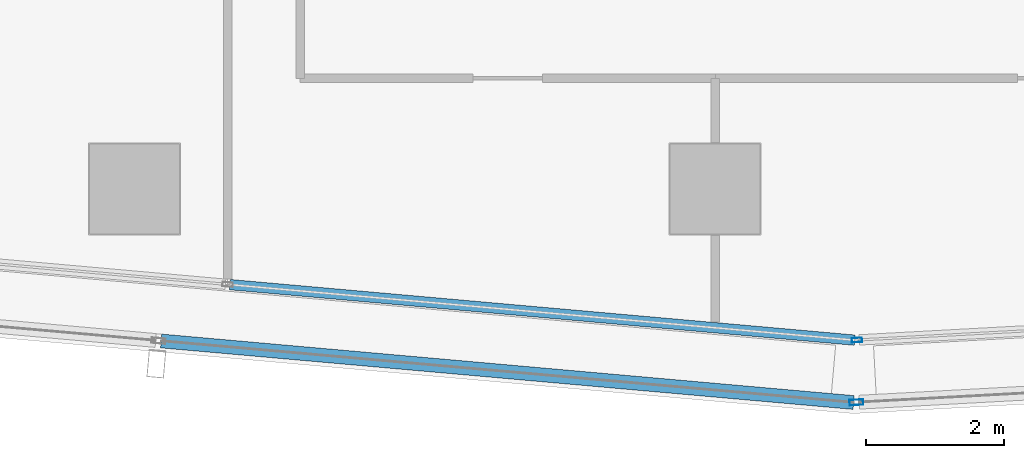
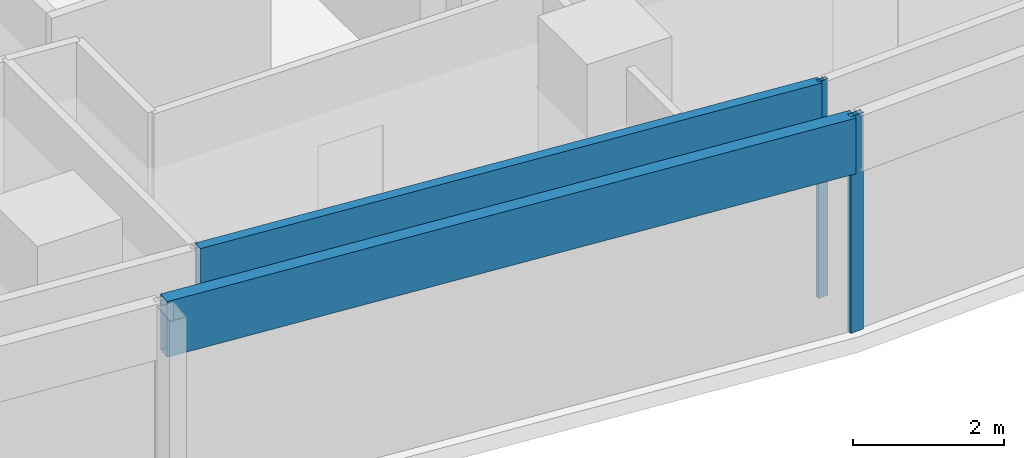
# One storey, part 5 of 30: 4 members, 4 elements without a shape of their own.
"""IFC4 building model written with IfcOpenShell, lengths in metres."""

from ifc_helpers import new_model, si_unit, direction, frame, origin, origin_2d, place, context, subcontext, project, spatial, hollow_rectangle, extrude, material, material_profile, profile_set, type_object, element, aggregate, save


model = new_model("IFC4")

# Units and contexts
model_context = context("Model", 3, precision=1e-05, world=origin(), true_north=direction((0.0, 1.0)))
body_context = subcontext(model_context, "Body", "Model", "MODEL_VIEW")
ifc_project = project(units=[si_unit("LENGTHUNIT", "METRE"), si_unit("AREAUNIT", "SQUARE_METRE"), si_unit("VOLUMEUNIT", "CUBIC_METRE"), si_unit("PLANEANGLEUNIT", "RADIAN"), si_unit("MASSUNIT", "GRAM", prefix="KILO")], contexts=[model_context])

# Site, building, storey
site_placement = place(None, origin())
site = spatial("IfcSite", under=ifc_project, at=site_placement, CompositionType="ELEMENT")
building_placement = place(site_placement, origin())
building = spatial("IfcBuilding", under=site, at=building_placement, Name="Rekha Terrace Tower", CompositionType="ELEMENT")
storey_placement = place(building_placement, frame((0.0, 0.0, 265.10009765625)))
storey = spatial("IfcBuildingStorey", under=building, at=storey_placement, Name="L67", CompositionType="ELEMENT", Elevation=265.10009765625)

# Curtain wall, member
ifc_material_1 = material(Name="Aluminium framing", Category="aluminium")
curtain_wall_type_1 = type_object("IfcCurtainWallType", Name="CW1 double skin inner glazing", PredefinedType="USERDEFINED", material=ifc_material_1)
curtain_wall_1_placement = place(storey_placement, origin())
curtain_wall_1 = element("IfcCurtainWall", 1, at=curtain_wall_1_placement, inside=storey, type_object=curtain_wall_type_1, Name="CW1 double skin inner glazing", ObjectType="DOUBLE SKIN INNER GLAZING", PredefinedType="USERDEFINED")
ifc_material_2 = material(Name="Aluminium mullion section", Category="aluminium")
ifc_material_profile_1 = material_profile(ifc_material_2, hollow_rectangle(XDim=0.06494140625, YDim=0.14990234375, WallThickness=0.00390625, at=origin_2d()), Name="AL RHS 65x150")
ifc_profile_set_1 = profile_set([ifc_material_profile_1], Name="Aluminium mullion section")
member_type_1 = type_object("IfcMemberType", Name="CW1 mullion RHS 65 x 150", PredefinedType="MULLION", material=ifc_profile_set_1)
member_1_placement = place(storey_placement, frame((27.254638671875, 14.6142578125, 0.0), z_axis=(0.0, 0.0, 1.0), x_axis=(-0.054388903036, 0.998519828159, 0.0)))
member_1 = element("IfcMember", 2, at=member_1_placement, type_object=member_type_1, Name="CW1 mullion 1", PredefinedType="MULLION", context=body_context, shape_type="SweptSolid", body=[
    extrude(hollow_rectangle(XDim=0.06494140625, YDim=0.14990234375, WallThickness=0.00390625, at=origin_2d()), origin(), (0.0, 0.0, 1.0), 3.5),
])
aggregate(curtain_wall_1, [member_1])

curtain_wall_2_placement = place(storey_placement, origin())
curtain_wall_2 = element("IfcCurtainWall", 3, at=curtain_wall_2_placement, inside=storey, type_object=curtain_wall_type_1, Name="CW1 double skin inner glazing", ObjectType="DOUBLE SKIN INNER GLAZING", PredefinedType="USERDEFINED")
ifc_material_3 = material(Name="Insulated aluminium spandrel box", Category="aluminium")
ifc_material_profile_2 = material_profile(ifc_material_3, hollow_rectangle(XDim=0.14990234375, YDim=0.89990234375, WallThickness=0.0029296875, at=origin_2d()), Name="AL SPANDREL BOX 150x900")
ifc_profile_set_2 = profile_set([ifc_material_profile_2], Name="Insulated aluminium spandrel box")
member_type_2 = type_object("IfcMemberType", Name="CW1 spandrel transom 150 x 900", PredefinedType="USERDEFINED", material=ifc_profile_set_2)
member_2_placement = place(storey_placement, frame((18.181884765625, 15.416015625, 3.0498046875), z_axis=(0.996073747712, -0.088527335432, 0.0), x_axis=(0.088527335432, 0.996073747712, 0.0)))
member_2 = element("IfcMember", 4, at=member_2_placement, type_object=member_type_2, Name="CW1 spandrel transom 2", ObjectType="TRANSOM", PredefinedType="USERDEFINED", context=body_context, shape_type="SweptSolid", body=[
    extrude(hollow_rectangle(XDim=0.14990234375, YDim=0.89990234375, WallThickness=0.0029296875, at=origin_2d()), origin(), (0.0, 0.0, 1.0), 9.075927734375),
])
aggregate(curtain_wall_2, [member_2])

curtain_wall_type_2 = type_object("IfcCurtainWallType", Name="CW2 double skin outer glazing", PredefinedType="USERDEFINED", material=ifc_material_1)
curtain_wall_3_placement = place(storey_placement, origin())
curtain_wall_3 = element("IfcCurtainWall", 5, at=curtain_wall_3_placement, inside=storey, type_object=curtain_wall_type_2, Name="CW2 double skin outer glazing", ObjectType="DOUBLE SKIN OUTER GLAZING", PredefinedType="USERDEFINED")
ifc_material_profile_3 = material_profile(ifc_material_2, hollow_rectangle(XDim=0.080078125, YDim=0.199951171875, WallThickness=0.00390625, at=origin_2d()), Name="AL RHS 80x200")
ifc_profile_set_3 = profile_set([ifc_material_profile_3], Name="Aluminium mullion section")
member_type_3 = type_object("IfcMemberType", Name="CW2 mullion RHS 80 x 200", PredefinedType="MULLION", material=ifc_profile_set_3)
member_3_placement = place(storey_placement, frame((27.24658203125, 13.712646484375, 0.0), z_axis=(0.0, 0.0, 1.0), x_axis=(-0.054388903071, 0.998519828157, 0.0)))
member_3 = element("IfcMember", 6, at=member_3_placement, type_object=member_type_3, Name="CW2 mullion 1", PredefinedType="MULLION", context=body_context, shape_type="SweptSolid", body=[
    extrude(hollow_rectangle(XDim=0.080078125, YDim=0.199951171875, WallThickness=0.00390625, at=origin_2d()), origin(), (0.0, 0.0, 1.0), 3.5),
])
aggregate(curtain_wall_3, [member_3])

curtain_wall_4_placement = place(storey_placement, origin())
curtain_wall_4 = element("IfcCurtainWall", 7, at=curtain_wall_4_placement, inside=storey, type_object=curtain_wall_type_2, Name="CW2 double skin outer glazing", ObjectType="DOUBLE SKIN OUTER GLAZING", PredefinedType="USERDEFINED")
ifc_material_profile_4 = material_profile(ifc_material_3, hollow_rectangle(XDim=0.199951171875, YDim=0.89990234375, WallThickness=0.0029296875, at=origin_2d()), Name="AL SPANDREL BOX 200x900")
ifc_profile_set_4 = profile_set([ifc_material_profile_4], Name="Insulated aluminium spandrel box")
member_type_4 = type_object("IfcMemberType", Name="CW2 spandrel transom 200 x 900", PredefinedType="USERDEFINED", material=ifc_profile_set_4)
member_4_placement = place(storey_placement, frame((17.188232421875, 14.600830078125, 3.0498046875), z_axis=(0.996074020135, -0.088524270188, 0.0), x_axis=(0.088524270188, 0.996074020135, 0.0)))
member_4 = element("IfcMember", 8, at=member_4_placement, type_object=member_type_4, Name="CW2 spandrel transom 2", ObjectType="TRANSOM", PredefinedType="USERDEFINED", context=body_context, shape_type="SweptSolid", body=[
    extrude(hollow_rectangle(XDim=0.199951171875, YDim=0.89990234375, WallThickness=0.0029296875, at=origin_2d()), origin(), (0.0, 0.0, 1.0), 10.05810546875),
])
aggregate(curtain_wall_4, [member_4])

save(model, "model.ifc")
